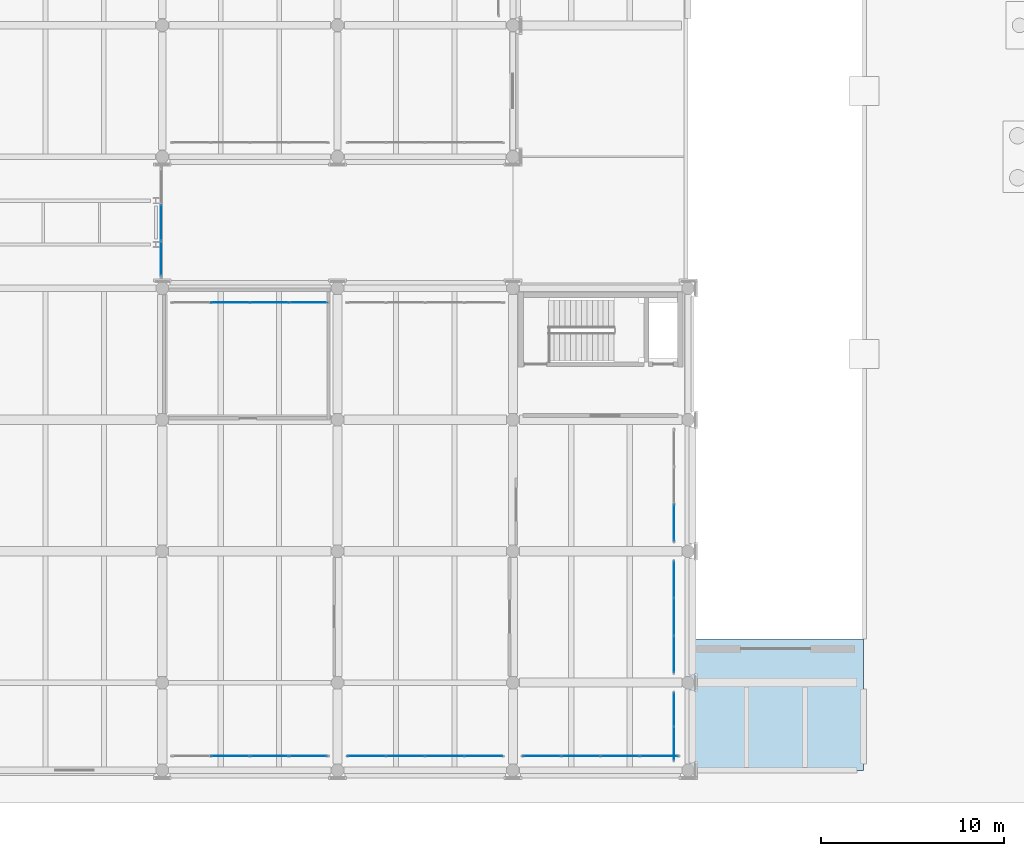
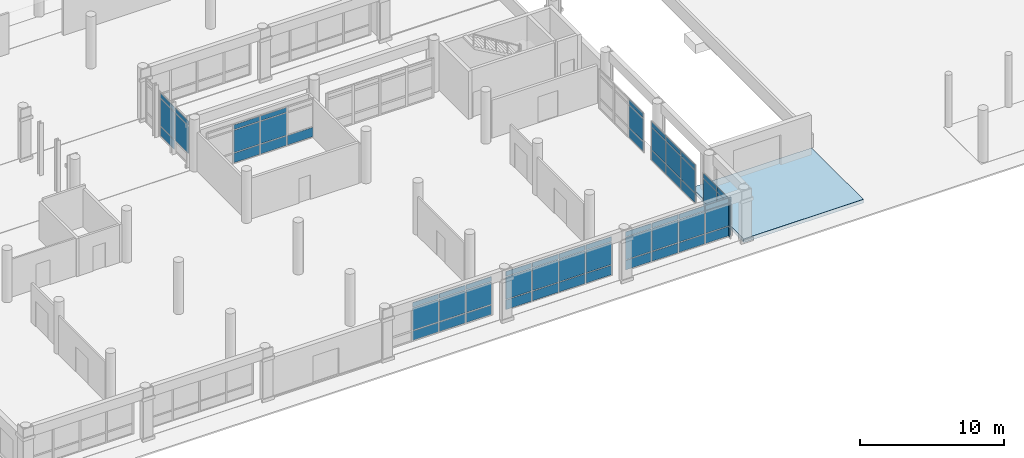
# One storey, part 142 of 196: 63 plates, 1 slab, 8 elements without a shape of their own.
"""IFC4 building model written with IfcOpenShell, lengths in metres."""

from ifc_helpers import new_model, si_unit, direction, frame, origin, origin_2d, place, context, subcontext, project, spatial, polyline, rectangle, outline, extrude, material, layer, layer_set, type_object, element, aggregate, save


model = new_model("IFC4")

# Units and contexts
model_context = context("Model", 3, precision=1e-05, world=origin(), true_north=direction((0.0, 1.0)))
body_context = subcontext(model_context, "Body", "Model", "MODEL_VIEW")
ifc_project = project(units=[si_unit("LENGTHUNIT", "METRE"), si_unit("AREAUNIT", "SQUARE_METRE"), si_unit("VOLUMEUNIT", "CUBIC_METRE"), si_unit("PLANEANGLEUNIT", "RADIAN"), si_unit("MASSUNIT", "GRAM", prefix="KILO")], contexts=[model_context])

# Site, building, storey
site_placement = place(None, origin())
site = spatial("IfcSite", under=ifc_project, at=site_placement, CompositionType="ELEMENT")
building_placement = place(site_placement, origin())
building = spatial("IfcBuilding", under=site, at=building_placement, Name="Asteropetra Specialist Clinic", CompositionType="ELEMENT")
storey_placement = place(building_placement, origin())
storey = spatial("IfcBuildingStorey", under=building, at=storey_placement, Name="L00", CompositionType="ELEMENT", Elevation=0.0)

# Curtain wall, plates
ifc_material_1 = material(Name="Aluminium and low-E glass", Category="aluminium")
ifc_layer_1 = layer(ifc_material_1, 0.14990234375)
ifc_layer_set_1 = layer_set([ifc_layer_1], Name="Aluminium and low-E glass")
curtain_wall_type_1 = type_object("IfcCurtainWallType", Name="CW-SYS-08", PredefinedType="USERDEFINED", material=ifc_layer_set_1)
curtain_wall_1_placement = place(storey_placement, origin())
curtain_wall_1 = element("IfcCurtainWall", 1, at=curtain_wall_1_placement, inside=storey, type_object=curtain_wall_type_1, Name="Curtain Wall CW-096", ObjectType="STICK GLAZED COLONNADE", PredefinedType="USERDEFINED")
ifc_material_2 = material(Name="Low-E double glazing", Category="glass")
ifc_layer_2 = layer(ifc_material_2, 0.028076171875)
ifc_layer_set_2 = layer_set([ifc_layer_2], Name="Low-E double glazing")
plate_type_1 = type_object("IfcPlateType", Name="CWP-GLZ-28", PredefinedType="CURTAIN_PANEL", material=ifc_layer_set_2)
plate_1_placement = place(storey_placement, frame((28.719970703125, 30.0, 0.074951171875), z_axis=(0.0, 0.0, 1.0), x_axis=(0.0, -1.0, 0.0)))
plate_1 = element("IfcPlate", 2, at=plate_1_placement, type_object=plate_type_1, Name="CW-096 panel 2.1", PredefinedType="CURTAIN_PANEL", context=body_context, shape_type="SweptSolid", body=[
    extrude(rectangle(XDim=1.918212890625, YDim=0.028076171875, at=origin_2d()), origin(), (0.0, 0.0, 1.0), 0.78759765625),
])
plate_2_placement = place(storey_placement, frame((28.719970703125, 30.0, 0.9375), z_axis=(0.0, 0.0, 1.0), x_axis=(0.0, -1.0, 0.0)))
plate_2 = element("IfcPlate", 3, at=plate_2_placement, type_object=plate_type_1, Name="CW-096 panel 2.2", PredefinedType="CURTAIN_PANEL", context=body_context, shape_type="SweptSolid", body=[
    extrude(rectangle(XDim=1.918212890625, YDim=0.028076171875, at=origin_2d()), origin(), (0.0, 0.0, 1.0), 2.294921875),
])
plate_3_placement = place(storey_placement, frame((28.719970703125, 30.0, 3.3076171875), z_axis=(0.0, 0.0, 1.0), x_axis=(0.0, -1.0, 0.0)))
plate_3 = element("IfcPlate", 4, at=plate_3_placement, type_object=plate_type_1, Name="CW-096 panel 2.3", PredefinedType="CURTAIN_PANEL", context=body_context, shape_type="SweptSolid", body=[
    extrude(rectangle(XDim=1.918212890625, YDim=0.028076171875, at=origin_2d()), origin(), (0.0, 0.0, 1.0), 0.387451171875),
])
plate_4_placement = place(storey_placement, frame((28.719970703125, 28.025390625, 0.9375), z_axis=(0.0, 0.0, 1.0), x_axis=(0.0, -1.0, 0.0)))
plate_4 = element("IfcPlate", 5, at=plate_4_placement, type_object=plate_type_1, Name="CW-096 panel 3.2", PredefinedType="CURTAIN_PANEL", context=body_context, shape_type="SweptSolid", body=[
    extrude(rectangle(XDim=1.880859375, YDim=0.028076171875, at=origin_2d()), origin(), (0.0, 0.0, 1.0), 2.294921875),
])
plate_5_placement = place(storey_placement, frame((28.719970703125, 28.025390625, 3.3076171875), z_axis=(0.0, 0.0, 1.0), x_axis=(0.0, -1.0, 0.0)))
plate_5 = element("IfcPlate", 6, at=plate_5_placement, type_object=plate_type_1, Name="CW-096 panel 3.3", PredefinedType="CURTAIN_PANEL", context=body_context, shape_type="SweptSolid", body=[
    extrude(rectangle(XDim=1.880859375, YDim=0.028076171875, at=origin_2d()), origin(), (0.0, 0.0, 1.0), 0.387451171875),
])
aggregate(curtain_wall_1, [plate_1, plate_2, plate_3, plate_4, plate_5])

ifc_material_3 = material(Name="Aluminium and low-E glass", Category="aluminium")
ifc_layer_3 = layer(ifc_material_3, 0.135009765625)
ifc_layer_set_3 = layer_set([ifc_layer_3], Name="Aluminium and low-E glass")
curtain_wall_type_2 = type_object("IfcCurtainWallType", Name="CW-SYS-09", PredefinedType="USERDEFINED", material=ifc_layer_set_3)
curtain_wall_2_placement = place(storey_placement, origin())
curtain_wall_2 = element("IfcCurtainWall", 7, at=curtain_wall_2_placement, inside=storey, type_object=curtain_wall_type_2, Name="Curtain Wall CW-124", ObjectType="STICK GLAZED COLONNADE", PredefinedType="USERDEFINED")
plate_6_placement = place(storey_placement, frame((36.80126953125, 25.6201171875, 0.06494140625), z_axis=(0.0, 0.0, 1.0), x_axis=(-1.0, 0.0, 0.0)))
plate_6 = element("IfcPlate", 8, at=plate_6_placement, type_object=plate_type_1, Name="CW-124 panel 1.1", PredefinedType="CURTAIN_PANEL", context=body_context, shape_type="SweptSolid", body=[
    extrude(rectangle(XDim=2.047607421875, YDim=0.028076171875, at=origin_2d()), origin(), (0.0, 0.0, 1.0), 0.802490234375),
])
plate_7_placement = place(storey_placement, frame((34.672607421875, 25.6201171875, 0.06494140625), z_axis=(0.0, 0.0, 1.0), x_axis=(-1.0, 0.0, 0.0)))
plate_7 = element("IfcPlate", 9, at=plate_7_placement, type_object=plate_type_1, Name="CW-124 panel 2.1", PredefinedType="CURTAIN_PANEL", context=body_context, shape_type="SweptSolid", body=[
    extrude(rectangle(XDim=2.080078125, YDim=0.028076171875, at=origin_2d()), origin(), (0.0, 0.0, 1.0), 0.802490234375),
])
plate_8_placement = place(storey_placement, frame((34.672607421875, 25.6201171875, 0.9326171875), z_axis=(0.0, 0.0, 1.0), x_axis=(-1.0, 0.0, 0.0)))
plate_8 = element("IfcPlate", 10, at=plate_8_placement, type_object=plate_type_1, Name="CW-124 panel 2.2", PredefinedType="CURTAIN_PANEL", context=body_context, shape_type="SweptSolid", body=[
    extrude(rectangle(XDim=2.080078125, YDim=0.028076171875, at=origin_2d()), origin(), (0.0, 0.0, 1.0), 1.885009765625),
])
plate_9_placement = place(storey_placement, frame((34.672607421875, 25.6201171875, 2.88232421875), z_axis=(0.0, 0.0, 1.0), x_axis=(-1.0, 0.0, 0.0)))
plate_9 = element("IfcPlate", 11, at=plate_9_placement, type_object=plate_type_1, Name="CW-124 panel 2.3", PredefinedType="CURTAIN_PANEL", context=body_context, shape_type="SweptSolid", body=[
    extrude(rectangle(XDim=2.080078125, YDim=0.028076171875, at=origin_2d()), origin(), (0.0, 0.0, 1.0), 0.402587890625),
])
plate_10_placement = place(storey_placement, frame((32.527587890625, 25.6201171875, 0.06494140625), z_axis=(0.0, 0.0, 1.0), x_axis=(-1.0, 0.0, 0.0)))
plate_10 = element("IfcPlate", 12, at=plate_10_placement, type_object=plate_type_1, Name="CW-124 panel 3.1", PredefinedType="CURTAIN_PANEL", context=body_context, shape_type="SweptSolid", body=[
    extrude(rectangle(XDim=2.080078125, YDim=0.028076171875, at=origin_2d()), origin(), (0.0, 0.0, 1.0), 0.802490234375),
])
plate_11_placement = place(storey_placement, frame((32.527587890625, 25.6201171875, 0.9326171875), z_axis=(0.0, 0.0, 1.0), x_axis=(-1.0, 0.0, 0.0)))
plate_11 = element("IfcPlate", 13, at=plate_11_placement, type_object=plate_type_1, Name="CW-124 panel 3.2", PredefinedType="CURTAIN_PANEL", context=body_context, shape_type="SweptSolid", body=[
    extrude(rectangle(XDim=2.080078125, YDim=0.028076171875, at=origin_2d()), origin(), (0.0, 0.0, 1.0), 1.885009765625),
])
plate_12_placement = place(storey_placement, frame((32.527587890625, 25.6201171875, 2.88232421875), z_axis=(0.0, 0.0, 1.0), x_axis=(-1.0, 0.0, 0.0)))
plate_12 = element("IfcPlate", 14, at=plate_12_placement, type_object=plate_type_1, Name="CW-124 panel 3.3", PredefinedType="CURTAIN_PANEL", context=body_context, shape_type="SweptSolid", body=[
    extrude(rectangle(XDim=2.080078125, YDim=0.028076171875, at=origin_2d()), origin(), (0.0, 0.0, 1.0), 0.402587890625),
])
aggregate(curtain_wall_2, [plate_6, plate_7, plate_8, plate_9, plate_10, plate_11, plate_12])

ifc_material_4 = material(Name="Aluminium and low-E glass", Category="aluminium")
ifc_layer_4 = layer(ifc_material_4, 0.179931640625)
ifc_layer_set_4 = layer_set([ifc_layer_4], Name="Aluminium and low-E glass")
curtain_wall_type_3 = type_object("IfcCurtainWallType", Name="CW-SYS-10", PredefinedType="USERDEFINED", material=ifc_layer_set_4)
curtain_wall_3_placement = place(storey_placement, origin())
curtain_wall_3 = element("IfcCurtainWall", 15, at=curtain_wall_3_placement, inside=storey, type_object=curtain_wall_type_3, Name="Curtain Wall CW-128", ObjectType="STICK GLAZED COLONNADE", PredefinedType="USERDEFINED")
plate_13_placement = place(storey_placement, frame((56.820068359375, 1.469970703125, 0.06005859375), z_axis=(0.0, 0.0, 1.0), x_axis=(0.0, 1.0, 0.0)))
plate_13 = element("IfcPlate", 16, at=plate_13_placement, type_object=plate_type_1, Name="CW-128 panel 1.1", PredefinedType="CURTAIN_PANEL", context=body_context, shape_type="SweptSolid", body=[
    extrude(rectangle(XDim=1.800048828125, YDim=0.028076171875, at=origin_2d()), origin(), (0.0, 0.0, 1.0), 0.81005859375),
])
plate_14_placement = place(storey_placement, frame((56.820068359375, 1.469970703125, 0.93017578125), z_axis=(0.0, 0.0, 1.0), x_axis=(0.0, 1.0, 0.0)))
plate_14 = element("IfcPlate", 17, at=plate_14_placement, type_object=plate_type_1, Name="CW-128 panel 1.2", PredefinedType="CURTAIN_PANEL", context=body_context, shape_type="SweptSolid", body=[
    extrude(rectangle(XDim=1.800048828125, YDim=0.028076171875, at=origin_2d()), origin(), (0.0, 0.0, 1.0), 1.889892578125),
])
plate_15_placement = place(storey_placement, frame((56.820068359375, 1.469970703125, 2.8798828125), z_axis=(0.0, 0.0, 1.0), x_axis=(0.0, 1.0, 0.0)))
plate_15 = element("IfcPlate", 18, at=plate_15_placement, type_object=plate_type_1, Name="CW-128 panel 1.3", PredefinedType="CURTAIN_PANEL", context=body_context, shape_type="SweptSolid", body=[
    extrude(rectangle(XDim=1.800048828125, YDim=0.028076171875, at=origin_2d()), origin(), (0.0, 0.0, 1.0), 0.409912109375),
])
plate_16_placement = place(storey_placement, frame((56.820068359375, 3.330078125, 0.06005859375), z_axis=(0.0, 0.0, 1.0), x_axis=(0.0, 1.0, 0.0)))
plate_16 = element("IfcPlate", 19, at=plate_16_placement, type_object=plate_type_1, Name="CW-128 panel 2.1", PredefinedType="CURTAIN_PANEL", context=body_context, shape_type="SweptSolid", body=[
    extrude(rectangle(XDim=1.800048828125, YDim=0.028076171875, at=origin_2d()), origin(), (0.0, 0.0, 1.0), 0.81005859375),
])
plate_17_placement = place(storey_placement, frame((56.820068359375, 3.330078125, 0.93017578125), z_axis=(0.0, 0.0, 1.0), x_axis=(0.0, 1.0, 0.0)))
plate_17 = element("IfcPlate", 20, at=plate_17_placement, type_object=plate_type_1, Name="CW-128 panel 2.2", PredefinedType="CURTAIN_PANEL", context=body_context, shape_type="SweptSolid", body=[
    extrude(rectangle(XDim=1.800048828125, YDim=0.028076171875, at=origin_2d()), origin(), (0.0, 0.0, 1.0), 1.889892578125),
])
plate_18_placement = place(storey_placement, frame((56.820068359375, 3.330078125, 2.8798828125), z_axis=(0.0, 0.0, 1.0), x_axis=(0.0, 1.0, 0.0)))
plate_18 = element("IfcPlate", 21, at=plate_18_placement, type_object=plate_type_1, Name="CW-128 panel 2.3", PredefinedType="CURTAIN_PANEL", context=body_context, shape_type="SweptSolid", body=[
    extrude(rectangle(XDim=1.800048828125, YDim=0.028076171875, at=origin_2d()), origin(), (0.0, 0.0, 1.0), 0.409912109375),
])
aggregate(curtain_wall_3, [plate_13, plate_14, plate_15, plate_16, plate_17, plate_18])

curtain_wall_4_placement = place(storey_placement, origin())
curtain_wall_4 = element("IfcCurtainWall", 22, at=curtain_wall_4_placement, inside=storey, type_object=curtain_wall_type_3, Name="Curtain Wall CW-132", ObjectType="STICK GLAZED COLONNADE", PredefinedType="USERDEFINED")
plate_19_placement = place(storey_placement, frame((56.820068359375, 13.558837890625, 0.074951171875), z_axis=(0.0, 0.0, 1.0), x_axis=(0.0, 1.0, 0.0)))
plate_19 = element("IfcPlate", 23, at=plate_19_placement, type_object=plate_type_1, Name="CW-132 panel 1.1", PredefinedType="CURTAIN_PANEL", context=body_context, shape_type="SweptSolid", body=[
    extrude(rectangle(XDim=1.947509765625, YDim=0.028076171875, at=origin_2d()), origin(), (0.0, 0.0, 1.0), 0.78759765625),
])
plate_20_placement = place(storey_placement, frame((56.820068359375, 13.558837890625, 0.9375), z_axis=(0.0, 0.0, 1.0), x_axis=(0.0, 1.0, 0.0)))
plate_20 = element("IfcPlate", 24, at=plate_20_placement, type_object=plate_type_1, Name="CW-132 panel 1.2", PredefinedType="CURTAIN_PANEL", context=body_context, shape_type="SweptSolid", body=[
    extrude(rectangle(XDim=1.947509765625, YDim=0.028076171875, at=origin_2d()), origin(), (0.0, 0.0, 1.0), 1.875),
])
plate_21_placement = place(storey_placement, frame((56.820068359375, 13.558837890625, 2.8876953125), z_axis=(0.0, 0.0, 1.0), x_axis=(0.0, 1.0, 0.0)))
plate_21 = element("IfcPlate", 25, at=plate_21_placement, type_object=plate_type_1, Name="CW-132 panel 1.3", PredefinedType="CURTAIN_PANEL", context=body_context, shape_type="SweptSolid", body=[
    extrude(rectangle(XDim=1.947509765625, YDim=0.028076171875, at=origin_2d()), origin(), (0.0, 0.0, 1.0), 0.387451171875),
])
aggregate(curtain_wall_4, [plate_19, plate_20, plate_21])

ifc_material_5 = material(Name="Aluminium and low-E glass", Category="aluminium")
ifc_layer_5 = layer(ifc_material_5, 0.14990234375)
ifc_layer_set_5 = layer_set([ifc_layer_5], Name="Aluminium and low-E glass")
curtain_wall_type_4 = type_object("IfcCurtainWallType", Name="CW-SYS-11", PredefinedType="USERDEFINED", material=ifc_layer_set_5)
curtain_wall_5_placement = place(storey_placement, origin())
curtain_wall_5 = element("IfcCurtainWall", 26, at=curtain_wall_5_placement, inside=storey, type_object=curtain_wall_type_4, Name="Curtain Wall CW-125", ObjectType="STICK GLAZED COLONNADE", PredefinedType="USERDEFINED")
ifc_material_6 = material(Name="Low-E acoustic double glazing", Category="glass")
ifc_layer_6 = layer(ifc_material_6, 0.031982421875)
ifc_layer_set_6 = layer_set([ifc_layer_6], Name="Low-E acoustic double glazing")
plate_type_2 = type_object("IfcPlateType", Name="CWP-GLZ-32", PredefinedType="CURTAIN_PANEL", material=ifc_layer_set_6)
plate_22_placement = place(storey_placement, frame((39.99755859375, 0.780029296875, 0.06005859375), z_axis=(0.0, 0.0, 1.0), x_axis=(1.0, 0.0, 0.0)))
plate_22 = element("IfcPlate", 27, at=plate_22_placement, type_object=plate_type_2, Name="CW-125 panel 1.1", PredefinedType="CURTAIN_PANEL", context=body_context, shape_type="SweptSolid", body=[
    extrude(rectangle(XDim=2.054931640625, YDim=0.031982421875, at=origin_2d()), origin(), (0.0, 0.0, 1.0), 0.81005859375),
])
plate_23_placement = place(storey_placement, frame((39.99755859375, 0.780029296875, 0.93017578125), z_axis=(0.0, 0.0, 1.0), x_axis=(1.0, 0.0, 0.0)))
plate_23 = element("IfcPlate", 28, at=plate_23_placement, type_object=plate_type_2, Name="CW-125 panel 1.2", PredefinedType="CURTAIN_PANEL", context=body_context, shape_type="SweptSolid", body=[
    extrude(rectangle(XDim=2.054931640625, YDim=0.031982421875, at=origin_2d()), origin(), (0.0, 0.0, 1.0), 1.889892578125),
])
plate_24_placement = place(storey_placement, frame((39.99755859375, 0.780029296875, 2.8798828125), z_axis=(0.0, 0.0, 1.0), x_axis=(1.0, 0.0, 0.0)))
plate_24 = element("IfcPlate", 29, at=plate_24_placement, type_object=plate_type_2, Name="CW-125 panel 1.3", PredefinedType="CURTAIN_PANEL", context=body_context, shape_type="SweptSolid", body=[
    extrude(rectangle(XDim=2.054931640625, YDim=0.031982421875, at=origin_2d()), origin(), (0.0, 0.0, 1.0), 0.409912109375),
])
plate_25_placement = place(storey_placement, frame((42.12744140625, 0.780029296875, 0.06005859375), z_axis=(0.0, 0.0, 1.0), x_axis=(1.0, 0.0, 0.0)))
plate_25 = element("IfcPlate", 30, at=plate_25_placement, type_object=plate_type_2, Name="CW-125 panel 2.1", PredefinedType="CURTAIN_PANEL", context=body_context, shape_type="SweptSolid", body=[
    extrude(rectangle(XDim=2.0849609375, YDim=0.031982421875, at=origin_2d()), origin(), (0.0, 0.0, 1.0), 0.81005859375),
])
plate_26_placement = place(storey_placement, frame((42.12744140625, 0.780029296875, 0.93017578125), z_axis=(0.0, 0.0, 1.0), x_axis=(1.0, 0.0, 0.0)))
plate_26 = element("IfcPlate", 31, at=plate_26_placement, type_object=plate_type_2, Name="CW-125 panel 2.2", PredefinedType="CURTAIN_PANEL", context=body_context, shape_type="SweptSolid", body=[
    extrude(rectangle(XDim=2.0849609375, YDim=0.031982421875, at=origin_2d()), origin(), (0.0, 0.0, 1.0), 1.889892578125),
])
plate_27_placement = place(storey_placement, frame((42.12744140625, 0.780029296875, 2.8798828125), z_axis=(0.0, 0.0, 1.0), x_axis=(1.0, 0.0, 0.0)))
plate_27 = element("IfcPlate", 32, at=plate_27_placement, type_object=plate_type_2, Name="CW-125 panel 2.3", PredefinedType="CURTAIN_PANEL", context=body_context, shape_type="SweptSolid", body=[
    extrude(rectangle(XDim=2.0849609375, YDim=0.031982421875, at=origin_2d()), origin(), (0.0, 0.0, 1.0), 0.409912109375),
])
plate_28_placement = place(storey_placement, frame((44.2724609375, 0.780029296875, 0.06005859375), z_axis=(0.0, 0.0, 1.0), x_axis=(1.0, 0.0, 0.0)))
plate_28 = element("IfcPlate", 33, at=plate_28_placement, type_object=plate_type_2, Name="CW-125 panel 3.1", PredefinedType="CURTAIN_PANEL", context=body_context, shape_type="SweptSolid", body=[
    extrude(rectangle(XDim=2.0849609375, YDim=0.031982421875, at=origin_2d()), origin(), (0.0, 0.0, 1.0), 0.81005859375),
])
plate_29_placement = place(storey_placement, frame((44.2724609375, 0.780029296875, 0.93017578125), z_axis=(0.0, 0.0, 1.0), x_axis=(1.0, 0.0, 0.0)))
plate_29 = element("IfcPlate", 34, at=plate_29_placement, type_object=plate_type_2, Name="CW-125 panel 3.2", PredefinedType="CURTAIN_PANEL", context=body_context, shape_type="SweptSolid", body=[
    extrude(rectangle(XDim=2.0849609375, YDim=0.031982421875, at=origin_2d()), origin(), (0.0, 0.0, 1.0), 1.889892578125),
])
plate_30_placement = place(storey_placement, frame((44.2724609375, 0.780029296875, 2.8798828125), z_axis=(0.0, 0.0, 1.0), x_axis=(1.0, 0.0, 0.0)))
plate_30 = element("IfcPlate", 35, at=plate_30_placement, type_object=plate_type_2, Name="CW-125 panel 3.3", PredefinedType="CURTAIN_PANEL", context=body_context, shape_type="SweptSolid", body=[
    extrude(rectangle(XDim=2.0849609375, YDim=0.031982421875, at=origin_2d()), origin(), (0.0, 0.0, 1.0), 0.409912109375),
])
plate_31_placement = place(storey_placement, frame((46.402587890625, 0.780029296875, 0.06005859375), z_axis=(0.0, 0.0, 1.0), x_axis=(1.0, 0.0, 0.0)))
plate_31 = element("IfcPlate", 36, at=plate_31_placement, type_object=plate_type_2, Name="CW-125 panel 4.1", PredefinedType="CURTAIN_PANEL", context=body_context, shape_type="SweptSolid", body=[
    extrude(rectangle(XDim=2.054931640625, YDim=0.031982421875, at=origin_2d()), origin(), (0.0, 0.0, 1.0), 0.81005859375),
])
plate_32_placement = place(storey_placement, frame((46.402587890625, 0.780029296875, 0.93017578125), z_axis=(0.0, 0.0, 1.0), x_axis=(1.0, 0.0, 0.0)))
plate_32 = element("IfcPlate", 37, at=plate_32_placement, type_object=plate_type_2, Name="CW-125 panel 4.2", PredefinedType="CURTAIN_PANEL", context=body_context, shape_type="SweptSolid", body=[
    extrude(rectangle(XDim=2.054931640625, YDim=0.031982421875, at=origin_2d()), origin(), (0.0, 0.0, 1.0), 1.889892578125),
])
plate_33_placement = place(storey_placement, frame((46.402587890625, 0.780029296875, 2.8798828125), z_axis=(0.0, 0.0, 1.0), x_axis=(1.0, 0.0, 0.0)))
plate_33 = element("IfcPlate", 38, at=plate_33_placement, type_object=plate_type_2, Name="CW-125 panel 4.3", PredefinedType="CURTAIN_PANEL", context=body_context, shape_type="SweptSolid", body=[
    extrude(rectangle(XDim=2.054931640625, YDim=0.031982421875, at=origin_2d()), origin(), (0.0, 0.0, 1.0), 0.409912109375),
])
aggregate(curtain_wall_5, [plate_22, plate_23, plate_24, plate_25, plate_26, plate_27, plate_28, plate_29, plate_30, plate_31, plate_32, plate_33])

curtain_wall_6_placement = place(storey_placement, origin())
curtain_wall_6 = element("IfcCurtainWall", 39, at=curtain_wall_6_placement, inside=storey, type_object=curtain_wall_type_3, Name="Curtain Wall CW-130", ObjectType="STICK GLAZED COLONNADE", PredefinedType="USERDEFINED")
ifc_material_7 = material(Name="Solar-control triple glazing", Category="glass")
ifc_layer_7 = layer(ifc_material_7, 0.035888671875)
ifc_layer_set_7 = layer_set([ifc_layer_7], Name="Solar-control triple glazing")
plate_type_3 = type_object("IfcPlateType", Name="CWP-GLZ-36", PredefinedType="CURTAIN_PANEL", material=ifc_layer_set_7)
plate_34_placement = place(storey_placement, frame((56.820068359375, 6.356201171875, 0.06494140625), z_axis=(0.0, 0.0, 1.0), x_axis=(0.0, 1.0, 0.0)))
plate_34 = element("IfcPlate", 40, at=plate_34_placement, type_object=plate_type_3, Name="CW-130 panel 1.1", PredefinedType="CURTAIN_PANEL", context=body_context, shape_type="SweptSolid", body=[
    extrude(rectangle(XDim=1.96240234375, YDim=0.035888671875, at=origin_2d()), origin(), (0.0, 0.0, 1.0), 0.802490234375),
])
plate_35_placement = place(storey_placement, frame((56.820068359375, 6.356201171875, 0.9326171875), z_axis=(0.0, 0.0, 1.0), x_axis=(0.0, 1.0, 0.0)))
plate_35 = element("IfcPlate", 41, at=plate_35_placement, type_object=plate_type_3, Name="CW-130 panel 1.2", PredefinedType="CURTAIN_PANEL", context=body_context, shape_type="SweptSolid", body=[
    extrude(rectangle(XDim=1.96240234375, YDim=0.035888671875, at=origin_2d()), origin(), (0.0, 0.0, 1.0), 1.885009765625),
])
plate_36_placement = place(storey_placement, frame((56.820068359375, 6.356201171875, 2.88232421875), z_axis=(0.0, 0.0, 1.0), x_axis=(0.0, 1.0, 0.0)))
plate_36 = element("IfcPlate", 42, at=plate_36_placement, type_object=plate_type_3, Name="CW-130 panel 1.3", PredefinedType="CURTAIN_PANEL", context=body_context, shape_type="SweptSolid", body=[
    extrude(rectangle(XDim=1.96240234375, YDim=0.035888671875, at=origin_2d()), origin(), (0.0, 0.0, 1.0), 0.402587890625),
])
plate_37_placement = place(storey_placement, frame((56.820068359375, 8.39990234375, 0.06494140625), z_axis=(0.0, 0.0, 1.0), x_axis=(0.0, 1.0, 0.0)))
plate_37 = element("IfcPlate", 43, at=plate_37_placement, type_object=plate_type_3, Name="CW-130 panel 2.1", PredefinedType="CURTAIN_PANEL", context=body_context, shape_type="SweptSolid", body=[
    extrude(rectangle(XDim=1.9951171875, YDim=0.035888671875, at=origin_2d()), origin(), (0.0, 0.0, 1.0), 0.802490234375),
])
plate_38_placement = place(storey_placement, frame((56.820068359375, 8.39990234375, 0.9326171875), z_axis=(0.0, 0.0, 1.0), x_axis=(0.0, 1.0, 0.0)))
plate_38 = element("IfcPlate", 44, at=plate_38_placement, type_object=plate_type_3, Name="CW-130 panel 2.2", PredefinedType="CURTAIN_PANEL", context=body_context, shape_type="SweptSolid", body=[
    extrude(rectangle(XDim=1.9951171875, YDim=0.035888671875, at=origin_2d()), origin(), (0.0, 0.0, 1.0), 1.885009765625),
])
plate_39_placement = place(storey_placement, frame((56.820068359375, 8.39990234375, 2.88232421875), z_axis=(0.0, 0.0, 1.0), x_axis=(0.0, 1.0, 0.0)))
plate_39 = element("IfcPlate", 45, at=plate_39_placement, type_object=plate_type_3, Name="CW-130 panel 2.3", PredefinedType="CURTAIN_PANEL", context=body_context, shape_type="SweptSolid", body=[
    extrude(rectangle(XDim=1.9951171875, YDim=0.035888671875, at=origin_2d()), origin(), (0.0, 0.0, 1.0), 0.402587890625),
])
plate_40_placement = place(storey_placement, frame((56.820068359375, 10.44384765625, 0.06494140625), z_axis=(0.0, 0.0, 1.0), x_axis=(0.0, 1.0, 0.0)))
plate_40 = element("IfcPlate", 46, at=plate_40_placement, type_object=plate_type_3, Name="CW-130 panel 3.1", PredefinedType="CURTAIN_PANEL", context=body_context, shape_type="SweptSolid", body=[
    extrude(rectangle(XDim=1.96240234375, YDim=0.035888671875, at=origin_2d()), origin(), (0.0, 0.0, 1.0), 0.802490234375),
])
plate_41_placement = place(storey_placement, frame((56.820068359375, 10.44384765625, 0.9326171875), z_axis=(0.0, 0.0, 1.0), x_axis=(0.0, 1.0, 0.0)))
plate_41 = element("IfcPlate", 47, at=plate_41_placement, type_object=plate_type_3, Name="CW-130 panel 3.2", PredefinedType="CURTAIN_PANEL", context=body_context, shape_type="SweptSolid", body=[
    extrude(rectangle(XDim=1.96240234375, YDim=0.035888671875, at=origin_2d()), origin(), (0.0, 0.0, 1.0), 1.885009765625),
])
plate_42_placement = place(storey_placement, frame((56.820068359375, 10.44384765625, 2.88232421875), z_axis=(0.0, 0.0, 1.0), x_axis=(0.0, 1.0, 0.0)))
plate_42 = element("IfcPlate", 48, at=plate_42_placement, type_object=plate_type_3, Name="CW-130 panel 3.3", PredefinedType="CURTAIN_PANEL", context=body_context, shape_type="SweptSolid", body=[
    extrude(rectangle(XDim=1.96240234375, YDim=0.035888671875, at=origin_2d()), origin(), (0.0, 0.0, 1.0), 0.402587890625),
])
aggregate(curtain_wall_6, [plate_34, plate_35, plate_36, plate_37, plate_38, plate_39, plate_40, plate_41, plate_42])

curtain_wall_7_placement = place(storey_placement, origin())
curtain_wall_7 = element("IfcCurtainWall", 49, at=curtain_wall_7_placement, inside=storey, type_object=curtain_wall_type_2, Name="Curtain Wall CW-123", ObjectType="STICK GLAZED COLONNADE", PredefinedType="USERDEFINED")
ifc_material_8 = material(Name="Laminated skylight glazing", Category="glass")
ifc_layer_8 = layer(ifc_material_8, 0.0400390625)
ifc_layer_set_8 = layer_set([ifc_layer_8], Name="Laminated skylight glazing")
plate_type_4 = type_object("IfcPlateType", Name="CWP-GLZ-40", PredefinedType="CURTAIN_PANEL", material=ifc_layer_set_8)
plate_43_placement = place(storey_placement, frame((32.527587890625, 0.780029296875, 0.074951171875), z_axis=(0.0, 0.0, 1.0), x_axis=(1.0, 0.0, 0.0)))
plate_43 = element("IfcPlate", 50, at=plate_43_placement, type_object=plate_type_4, Name="CW-123 panel 2.1", PredefinedType="CURTAIN_PANEL", context=body_context, shape_type="SweptSolid", body=[
    extrude(rectangle(XDim=2.070068359375, YDim=0.0400390625, at=origin_2d()), origin(), (0.0, 0.0, 1.0), 0.78759765625),
])
plate_44_placement = place(storey_placement, frame((32.527587890625, 0.780029296875, 0.9375), z_axis=(0.0, 0.0, 1.0), x_axis=(1.0, 0.0, 0.0)))
plate_44 = element("IfcPlate", 51, at=plate_44_placement, type_object=plate_type_4, Name="CW-123 panel 2.2", PredefinedType="CURTAIN_PANEL", context=body_context, shape_type="SweptSolid", body=[
    extrude(rectangle(XDim=2.070068359375, YDim=0.0400390625, at=origin_2d()), origin(), (0.0, 0.0, 1.0), 1.875),
])
plate_45_placement = place(storey_placement, frame((32.527587890625, 0.780029296875, 2.8876953125), z_axis=(0.0, 0.0, 1.0), x_axis=(1.0, 0.0, 0.0)))
plate_45 = element("IfcPlate", 52, at=plate_45_placement, type_object=plate_type_4, Name="CW-123 panel 2.3", PredefinedType="CURTAIN_PANEL", context=body_context, shape_type="SweptSolid", body=[
    extrude(rectangle(XDim=2.070068359375, YDim=0.0400390625, at=origin_2d()), origin(), (0.0, 0.0, 1.0), 0.387451171875),
])
plate_46_placement = place(storey_placement, frame((34.672607421875, 0.780029296875, 0.074951171875), z_axis=(0.0, 0.0, 1.0), x_axis=(1.0, 0.0, 0.0)))
plate_46 = element("IfcPlate", 53, at=plate_46_placement, type_object=plate_type_4, Name="CW-123 panel 3.1", PredefinedType="CURTAIN_PANEL", context=body_context, shape_type="SweptSolid", body=[
    extrude(rectangle(XDim=2.070068359375, YDim=0.0400390625, at=origin_2d()), origin(), (0.0, 0.0, 1.0), 0.78759765625),
])
plate_47_placement = place(storey_placement, frame((34.672607421875, 0.780029296875, 0.9375), z_axis=(0.0, 0.0, 1.0), x_axis=(1.0, 0.0, 0.0)))
plate_47 = element("IfcPlate", 54, at=plate_47_placement, type_object=plate_type_4, Name="CW-123 panel 3.2", PredefinedType="CURTAIN_PANEL", context=body_context, shape_type="SweptSolid", body=[
    extrude(rectangle(XDim=2.070068359375, YDim=0.0400390625, at=origin_2d()), origin(), (0.0, 0.0, 1.0), 1.875),
])
plate_48_placement = place(storey_placement, frame((34.672607421875, 0.780029296875, 2.8876953125), z_axis=(0.0, 0.0, 1.0), x_axis=(1.0, 0.0, 0.0)))
plate_48 = element("IfcPlate", 55, at=plate_48_placement, type_object=plate_type_4, Name="CW-123 panel 3.3", PredefinedType="CURTAIN_PANEL", context=body_context, shape_type="SweptSolid", body=[
    extrude(rectangle(XDim=2.070068359375, YDim=0.0400390625, at=origin_2d()), origin(), (0.0, 0.0, 1.0), 0.387451171875),
])
plate_49_placement = place(storey_placement, frame((36.798828125, 0.780029296875, 0.074951171875), z_axis=(0.0, 0.0, 1.0), x_axis=(1.0, 0.0, 0.0)))
plate_49 = element("IfcPlate", 56, at=plate_49_placement, type_object=plate_type_4, Name="CW-123 panel 4.1", PredefinedType="CURTAIN_PANEL", context=body_context, shape_type="SweptSolid", body=[
    extrude(rectangle(XDim=2.032470703125, YDim=0.0400390625, at=origin_2d()), origin(), (0.0, 0.0, 1.0), 0.78759765625),
])
plate_50_placement = place(storey_placement, frame((36.798828125, 0.780029296875, 0.9375), z_axis=(0.0, 0.0, 1.0), x_axis=(1.0, 0.0, 0.0)))
plate_50 = element("IfcPlate", 57, at=plate_50_placement, type_object=plate_type_4, Name="CW-123 panel 4.2", PredefinedType="CURTAIN_PANEL", context=body_context, shape_type="SweptSolid", body=[
    extrude(rectangle(XDim=2.032470703125, YDim=0.0400390625, at=origin_2d()), origin(), (0.0, 0.0, 1.0), 1.875),
])
plate_51_placement = place(storey_placement, frame((36.798828125, 0.780029296875, 2.8876953125), z_axis=(0.0, 0.0, 1.0), x_axis=(1.0, 0.0, 0.0)))
plate_51 = element("IfcPlate", 58, at=plate_51_placement, type_object=plate_type_4, Name="CW-123 panel 4.3", PredefinedType="CURTAIN_PANEL", context=body_context, shape_type="SweptSolid", body=[
    extrude(rectangle(XDim=2.032470703125, YDim=0.0400390625, at=origin_2d()), origin(), (0.0, 0.0, 1.0), 0.387451171875),
])
aggregate(curtain_wall_7, [plate_43, plate_44, plate_45, plate_46, plate_47, plate_48, plate_49, plate_50, plate_51])

curtain_wall_8_placement = place(storey_placement, origin())
curtain_wall_8 = element("IfcCurtainWall", 59, at=curtain_wall_8_placement, inside=storey, type_object=curtain_wall_type_2, Name="Curtain Wall CW-127", ObjectType="STICK GLAZED COLONNADE", PredefinedType="USERDEFINED")
plate_52_placement = place(storey_placement, frame((49.5986328125, 0.780029296875, 0.06494140625), z_axis=(0.0, 0.0, 1.0), x_axis=(1.0, 0.0, 0.0)))
plate_52 = element("IfcPlate", 60, at=plate_52_placement, type_object=plate_type_4, Name="CW-127 panel 1.1", PredefinedType="CURTAIN_PANEL", context=body_context, shape_type="SweptSolid", body=[
    extrude(rectangle(XDim=2.047607421875, YDim=0.0400390625, at=origin_2d()), origin(), (0.0, 0.0, 1.0), 0.802490234375),
])
plate_53_placement = place(storey_placement, frame((49.5986328125, 0.780029296875, 0.9326171875), z_axis=(0.0, 0.0, 1.0), x_axis=(1.0, 0.0, 0.0)))
plate_53 = element("IfcPlate", 61, at=plate_53_placement, type_object=plate_type_4, Name="CW-127 panel 1.2", PredefinedType="CURTAIN_PANEL", context=body_context, shape_type="SweptSolid", body=[
    extrude(rectangle(XDim=2.047607421875, YDim=0.0400390625, at=origin_2d()), origin(), (0.0, 0.0, 1.0), 1.885009765625),
])
plate_54_placement = place(storey_placement, frame((49.5986328125, 0.780029296875, 2.88232421875), z_axis=(0.0, 0.0, 1.0), x_axis=(1.0, 0.0, 0.0)))
plate_54 = element("IfcPlate", 62, at=plate_54_placement, type_object=plate_type_4, Name="CW-127 panel 1.3", PredefinedType="CURTAIN_PANEL", context=body_context, shape_type="SweptSolid", body=[
    extrude(rectangle(XDim=2.047607421875, YDim=0.0400390625, at=origin_2d()), origin(), (0.0, 0.0, 1.0), 0.402587890625),
])
plate_55_placement = place(storey_placement, frame((51.7275390625, 0.780029296875, 0.06494140625), z_axis=(0.0, 0.0, 1.0), x_axis=(1.0, 0.0, 0.0)))
plate_55 = element("IfcPlate", 63, at=plate_55_placement, type_object=plate_type_4, Name="CW-127 panel 2.1", PredefinedType="CURTAIN_PANEL", context=body_context, shape_type="SweptSolid", body=[
    extrude(rectangle(XDim=2.080078125, YDim=0.0400390625, at=origin_2d()), origin(), (0.0, 0.0, 1.0), 0.802490234375),
])
plate_56_placement = place(storey_placement, frame((51.7275390625, 0.780029296875, 0.9326171875), z_axis=(0.0, 0.0, 1.0), x_axis=(1.0, 0.0, 0.0)))
plate_56 = element("IfcPlate", 64, at=plate_56_placement, type_object=plate_type_4, Name="CW-127 panel 2.2", PredefinedType="CURTAIN_PANEL", context=body_context, shape_type="SweptSolid", body=[
    extrude(rectangle(XDim=2.080078125, YDim=0.0400390625, at=origin_2d()), origin(), (0.0, 0.0, 1.0), 1.885009765625),
])
plate_57_placement = place(storey_placement, frame((51.7275390625, 0.780029296875, 2.88232421875), z_axis=(0.0, 0.0, 1.0), x_axis=(1.0, 0.0, 0.0)))
plate_57 = element("IfcPlate", 65, at=plate_57_placement, type_object=plate_type_4, Name="CW-127 panel 2.3", PredefinedType="CURTAIN_PANEL", context=body_context, shape_type="SweptSolid", body=[
    extrude(rectangle(XDim=2.080078125, YDim=0.0400390625, at=origin_2d()), origin(), (0.0, 0.0, 1.0), 0.402587890625),
])
plate_58_placement = place(storey_placement, frame((53.87255859375, 0.780029296875, 0.06494140625), z_axis=(0.0, 0.0, 1.0), x_axis=(1.0, 0.0, 0.0)))
plate_58 = element("IfcPlate", 66, at=plate_58_placement, type_object=plate_type_4, Name="CW-127 panel 3.1", PredefinedType="CURTAIN_PANEL", context=body_context, shape_type="SweptSolid", body=[
    extrude(rectangle(XDim=2.080078125, YDim=0.0400390625, at=origin_2d()), origin(), (0.0, 0.0, 1.0), 0.802490234375),
])
plate_59_placement = place(storey_placement, frame((53.87255859375, 0.780029296875, 0.9326171875), z_axis=(0.0, 0.0, 1.0), x_axis=(1.0, 0.0, 0.0)))
plate_59 = element("IfcPlate", 67, at=plate_59_placement, type_object=plate_type_4, Name="CW-127 panel 3.2", PredefinedType="CURTAIN_PANEL", context=body_context, shape_type="SweptSolid", body=[
    extrude(rectangle(XDim=2.080078125, YDim=0.0400390625, at=origin_2d()), origin(), (0.0, 0.0, 1.0), 1.885009765625),
])
plate_60_placement = place(storey_placement, frame((53.87255859375, 0.780029296875, 2.88232421875), z_axis=(0.0, 0.0, 1.0), x_axis=(1.0, 0.0, 0.0)))
plate_60 = element("IfcPlate", 68, at=plate_60_placement, type_object=plate_type_4, Name="CW-127 panel 3.3", PredefinedType="CURTAIN_PANEL", context=body_context, shape_type="SweptSolid", body=[
    extrude(rectangle(XDim=2.080078125, YDim=0.0400390625, at=origin_2d()), origin(), (0.0, 0.0, 1.0), 0.402587890625),
])
plate_61_placement = place(storey_placement, frame((56.001220703125, 0.780029296875, 0.06494140625), z_axis=(0.0, 0.0, 1.0), x_axis=(1.0, 0.0, 0.0)))
plate_61 = element("IfcPlate", 69, at=plate_61_placement, type_object=plate_type_4, Name="CW-127 panel 4.1", PredefinedType="CURTAIN_PANEL", context=body_context, shape_type="SweptSolid", body=[
    extrude(rectangle(XDim=2.047607421875, YDim=0.0400390625, at=origin_2d()), origin(), (0.0, 0.0, 1.0), 0.802490234375),
])
plate_62_placement = place(storey_placement, frame((56.001220703125, 0.780029296875, 0.9326171875), z_axis=(0.0, 0.0, 1.0), x_axis=(1.0, 0.0, 0.0)))
plate_62 = element("IfcPlate", 70, at=plate_62_placement, type_object=plate_type_4, Name="CW-127 panel 4.2", PredefinedType="CURTAIN_PANEL", context=body_context, shape_type="SweptSolid", body=[
    extrude(rectangle(XDim=2.047607421875, YDim=0.0400390625, at=origin_2d()), origin(), (0.0, 0.0, 1.0), 1.885009765625),
])
plate_63_placement = place(storey_placement, frame((56.001220703125, 0.780029296875, 2.88232421875), z_axis=(0.0, 0.0, 1.0), x_axis=(1.0, 0.0, 0.0)))
plate_63 = element("IfcPlate", 71, at=plate_63_placement, type_object=plate_type_4, Name="CW-127 panel 4.3", PredefinedType="CURTAIN_PANEL", context=body_context, shape_type="SweptSolid", body=[
    extrude(rectangle(XDim=2.047607421875, YDim=0.0400390625, at=origin_2d()), origin(), (0.0, 0.0, 1.0), 0.402587890625),
])
aggregate(curtain_wall_8, [plate_52, plate_53, plate_54, plate_55, plate_56, plate_57, plate_58, plate_59, plate_60, plate_61, plate_62, plate_63])

# Slab
ifc_material_9 = material(Name="Concrete C35/45", Category="concrete")
ifc_layer_9 = layer(ifc_material_9, 0.31005859375)
ifc_layer_set_9 = layer_set([ifc_layer_9], Name="Concrete C35/45")
slab_type = type_object("IfcSlabType", Name="SLB-TER-310", PredefinedType="ROOF", material=ifc_layer_set_9)
slab_placement = place(storey_placement, frame((0.0, 0.0, -0.31005859375)))
element("IfcSlab", 72, at=slab_placement, inside=storey, type_object=slab_type, Name="Slab B1DECK-SE-S L00", PredefinedType="ROOF", context=body_context, shape_type="SweptSolid", body=[
    extrude(outline(polyline([(57.60009765625, 0.0), (67.199951171875, 0.0), (67.199951171875, 7.199951171875), (57.60009765625, 7.199951171875), (57.60009765625, 0.0)])), origin(), (0.0, 0.0, 1.0), 0.31005859375),
])

save(model, "model.ifc")
